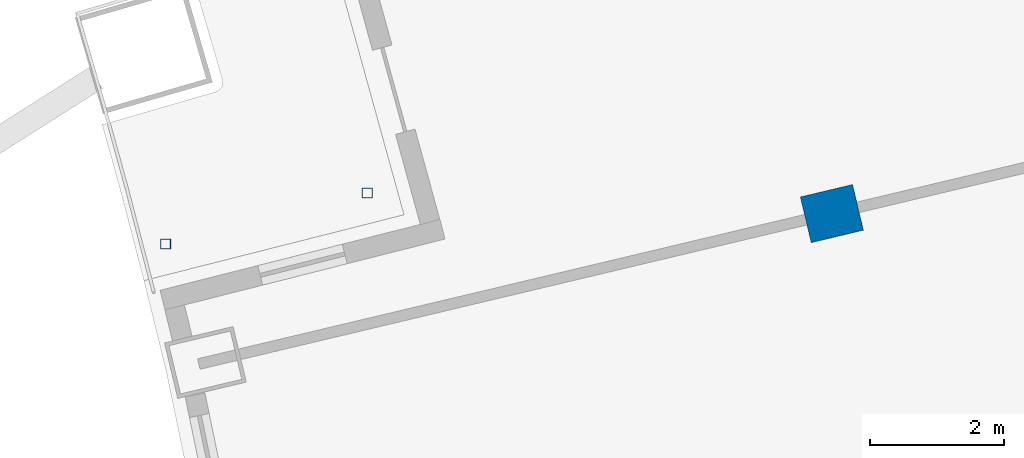
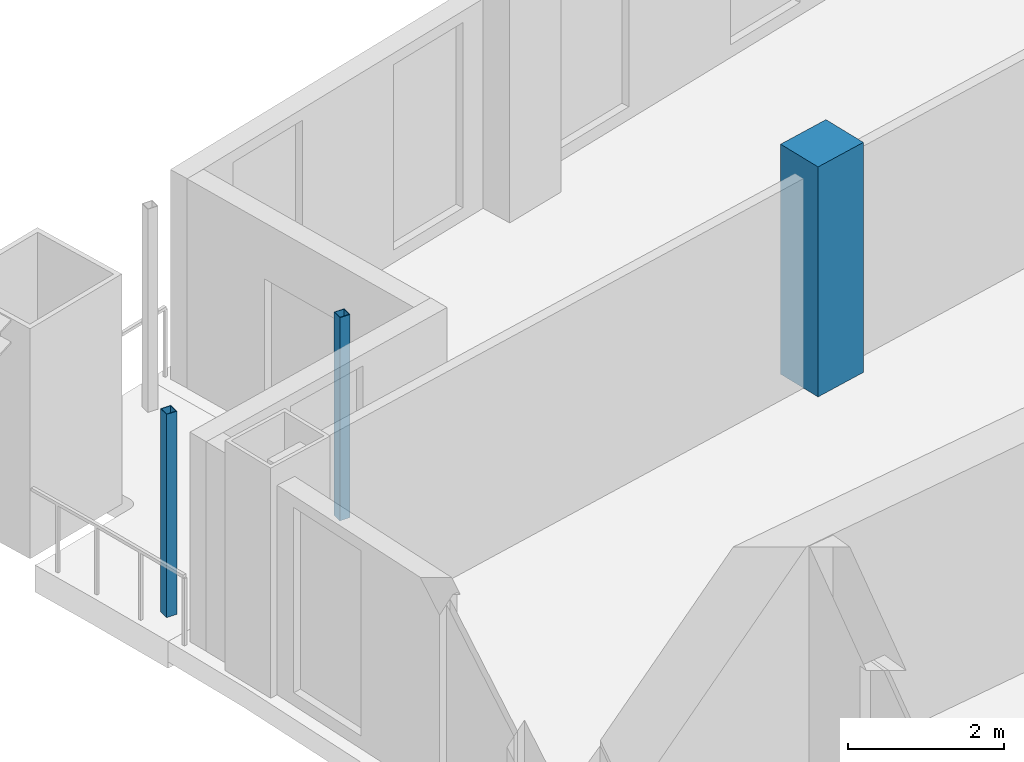
# One storey, part 5 of 19: 3 columns.
"""IFC4 building model written with IfcOpenShell, lengths in metres."""

from ifc_helpers import new_model, si_unit, direction, frame, origin, origin_2d, place, context, subcontext, project, spatial, rectangle, hollow_rectangle, extrude, material, material_profile, profile_set, type_object, element, save


model = new_model("IFC4")

# Units and contexts
model_context = context("Model", 3, precision=1e-05, world=origin(), true_north=direction((0.0, 1.0)))
body_context = subcontext(model_context, "Body", "Model", "MODEL_VIEW")
ifc_project = project(units=[si_unit("LENGTHUNIT", "METRE"), si_unit("AREAUNIT", "SQUARE_METRE"), si_unit("VOLUMEUNIT", "CUBIC_METRE"), si_unit("PLANEANGLEUNIT", "RADIAN"), si_unit("MASSUNIT", "GRAM", prefix="KILO")], contexts=[model_context])

# Site, building, storey
site_placement = place(None, origin())
site = spatial("IfcSite", under=ifc_project, at=site_placement, CompositionType="ELEMENT")
building_placement = place(site_placement, origin())
building = spatial("IfcBuilding", under=site, at=building_placement, Name="Alderwake Tower", CompositionType="ELEMENT")
storey_placement = place(building_placement, frame((0.0, 0.0, 203.60009765625)))
storey = spatial("IfcBuildingStorey", under=building, at=storey_placement, Name="L50", CompositionType="ELEMENT", Elevation=203.60009765625)

# Columns
ifc_material_1 = material(Name="Concrete C70/85", Category="concrete")
ifc_material_profile_1 = material_profile(ifc_material_1, rectangle(XDim=0.699951171875, YDim=0.800048828125, at=origin_2d()), Name="RC 800X700")
ifc_profile_set_1 = profile_set([ifc_material_profile_1], Name="Concrete C70/85")
column_type_1 = type_object("IfcColumnType", Name="Interior column Z4", PredefinedType="COLUMN", material=ifc_profile_set_1)
column_placement = place(storey_placement, frame((23.322021484375, 85.555908203125, 0.0), z_axis=(0.0, 0.0, 1.0), x_axis=(-0.231221547198, 0.972901123502, 0.0)))
element("IfcColumn", 1, at=column_placement, inside=storey, type_object=column_type_1, Name="Column R11-C1", PredefinedType="COLUMN", context=body_context, shape_type="SweptSolid", body=[
    extrude(rectangle(XDim=0.699951171875, YDim=0.800048828125, at=origin_2d()), origin(), (0.0, 0.0, 1.0), 3.599853515625),
])
ifc_material_2 = material(Name="Steel ASTM A500 Grade C", Category="steel")
ifc_material_profile_2 = material_profile(ifc_material_2, hollow_rectangle(XDim=0.15234375, YDim=0.15234375, WallThickness=0.0087890625, at=origin_2d()), Name="HSS6X6X3/8")
ifc_profile_set_2 = profile_set([ifc_material_profile_2], Name="Steel ASTM A500 Grade C")
column_type_2 = type_object("IfcColumnType", Name="Light post HSS6X6X3/8", PredefinedType="COLUMN", material=ifc_profile_set_2)
for number, where, z_axis, x_axis, name in (
    (2, (13.3896484375, 85.103515625, 0.0), (0.0, 0.0, 1.0), (1.0, 0.0, 0.0), "Terrace post RN1"),
    (3, (16.39501953125, 85.864013671875, 0.0), (0.0, 0.0, 1.0), (1.0, 0.0, 0.0), "Terrace post RN3"),
):
    element("IfcColumn", number, at=place(storey_placement, frame(where, z_axis=z_axis, x_axis=x_axis)), inside=storey, type_object=column_type_2, Name=name, PredefinedType="COLUMN", context=body_context, shape_type="SweptSolid", body=[
        extrude(hollow_rectangle(XDim=0.15234375, YDim=0.15234375, WallThickness=0.0087890625, at=origin_2d()), origin(), (0.0, 0.0, 1.0), 3.179931640625),
    ])

save(model, "model.ifc")
